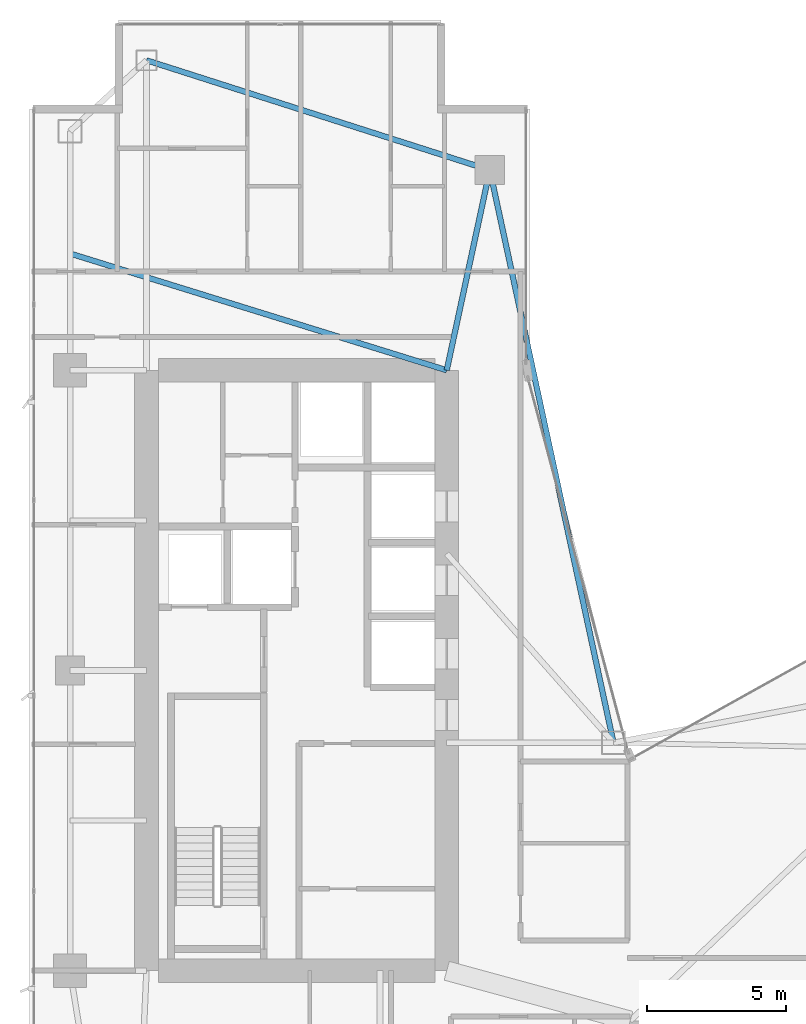
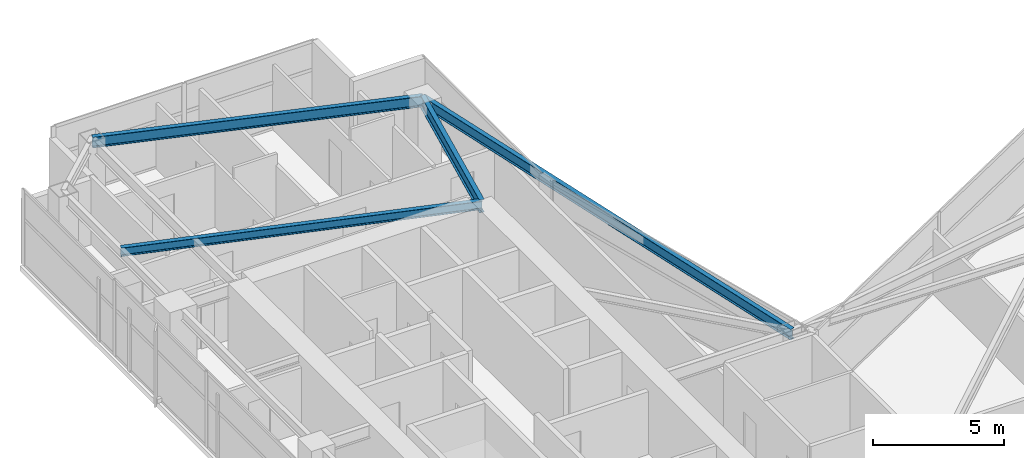
# One storey, part 17 of 29: 4 beams.
"""IFC4 building model written with IfcOpenShell, lengths in metres."""

from ifc_helpers import new_model, si_unit, direction, frame, origin, origin_2d, place, context, subcontext, project, spatial, i_section, extrude, material, material_profile, profile_set, type_object, element, save


model = new_model("IFC4")

# Units and contexts
model_context = context("Model", 3, precision=1e-05, world=origin(), true_north=direction((0.0, 1.0)))
body_context = subcontext(model_context, "Body", "Model", "MODEL_VIEW")
ifc_project = project(units=[si_unit("LENGTHUNIT", "METRE"), si_unit("AREAUNIT", "SQUARE_METRE"), si_unit("VOLUMEUNIT", "CUBIC_METRE"), si_unit("PLANEANGLEUNIT", "RADIAN"), si_unit("MASSUNIT", "GRAM", prefix="KILO")], contexts=[model_context])

# Site, building, storey
site_placement = place(None, origin())
site = spatial("IfcSite", under=ifc_project, at=site_placement, CompositionType="ELEMENT")
building_placement = place(site_placement, origin())
building = spatial("IfcBuilding", under=site, at=building_placement, Name="Calvorn Quay Hotel", CompositionType="ELEMENT")
storey_placement = place(building_placement, frame((0.0, 0.0, 163.699951171875)))
storey = spatial("IfcBuildingStorey", under=building, at=storey_placement, Name="L40", CompositionType="ELEMENT", Elevation=163.699951171875)

# Beams
ifc_material_1 = material(Name="Steel Q355B", Category="steel")
ifc_material_profile_1 = material_profile(ifc_material_1, i_section(OverallWidth=0.199951171875, OverallDepth=0.60009765625, WebThickness=0.010986328125, FlangeThickness=0.01708984375, FilletRadius=0.01806640625, at=origin_2d()), Name="HN600x200x11x17")
ifc_profile_set_1 = profile_set([ifc_material_profile_1], Name="Steel Q355B")
beam_type_1 = type_object("IfcBeamType", Name="BM-GIRD-TYP", PredefinedType="BEAM", material=ifc_profile_set_1)
beam_1_placement = place(storey_placement, frame((16.550048828125, 45.60009765625, 3.239990234375), z_axis=(-0.210457140491, -0.97760308511, 0.0), x_axis=(0.97760308511, -0.210457140491, 0.0)))
element("IfcBeam", 1, at=beam_1_placement, inside=storey, type_object=beam_type_1, Name="Beam BG-L40-W6", PredefinedType="BEAM", context=body_context, shape_type="SweptSolid", body=[
    extrude(i_section(OverallWidth=0.199951171875, OverallDepth=0.60009765625, WebThickness=0.010986328125, FlangeThickness=0.01708984375, FilletRadius=0.01806640625, at=origin_2d()), origin(), (0.0, 0.0, 1.0), 7.365234375),
])
ifc_material_2 = material(Name="Steel Q355B", Category="steel")
ifc_material_profile_2 = material_profile(ifc_material_2, i_section(OverallWidth=0.199951171875, OverallDepth=0.39990234375, WebThickness=0.008056640625, FlangeThickness=0.012939453125, FilletRadius=0.01611328125, at=origin_2d()), Name="HN400x200x8x13")
ifc_profile_set_2 = profile_set([ifc_material_profile_2], Name="Steel Q355B")
beam_type_2 = type_object("IfcBeamType", Name="BM-JOIST-TYP", PredefinedType="JOIST", material=ifc_profile_set_2)
beam_2_placement = place(storey_placement, frame((1.449951171875, 42.60009765625, 3.340087890625), z_axis=(0.955163702122, -0.296078202759, 0.0), x_axis=(0.296078202759, 0.955163702122, 0.0)))
element("IfcBeam", 2, at=beam_2_placement, inside=storey, type_object=beam_type_2, Name="Beam BJ-L40-W2", PredefinedType="JOIST", context=body_context, shape_type="SweptSolid", body=[
    extrude(i_section(OverallWidth=0.199951171875, OverallDepth=0.39990234375, WebThickness=0.008056640625, FlangeThickness=0.012939453125, FilletRadius=0.01611328125, at=origin_2d()), origin(), (0.0, 0.0, 1.0), 14.18603515625),
])
ifc_material_3 = material(Name="Steel Q355B", Category="steel")
ifc_material_profile_3 = material_profile(ifc_material_3, i_section(OverallWidth=0.199951171875, OverallDepth=0.5, WebThickness=0.010009765625, FlangeThickness=0.01611328125, FilletRadius=0.01611328125, at=origin_2d()), Name="HN500x200x10x16")
ifc_profile_set_3 = profile_set([ifc_material_profile_3], Name="Steel Q355B")
beam_type_3 = type_object("IfcBeamType", Name="BM-SPANDREL-Z1", PredefinedType="SPANDREL", material=ifc_profile_set_3)
beam_3_placement = place(storey_placement, frame((4.199951171875, 49.550048828125, 3.2900390625), z_axis=(0.952470702374, -0.304630203885, 0.0), x_axis=(0.304630203885, 0.952470702374, 0.0)))
element("IfcBeam", 3, at=beam_3_placement, inside=storey, type_object=beam_type_3, Name="Beam BSP-L40-W6", PredefinedType="SPANDREL", context=body_context, shape_type="SweptSolid", body=[
    extrude(i_section(OverallWidth=0.199951171875, OverallDepth=0.5, WebThickness=0.010009765625, FlangeThickness=0.01611328125, FilletRadius=0.01611328125, at=origin_2d()), origin(), (0.0, 0.0, 1.0), 12.96630859375),
])
beam_4_placement = place(storey_placement, frame((16.550048828125, 45.60009765625, 3.2900390625), z_axis=(0.211145848376, -0.977454567084, 0.0), x_axis=(0.977454567084, 0.211145848376, 0.0)))
element("IfcBeam", 4, at=beam_4_placement, inside=storey, type_object=beam_type_3, Name="Beam BSP-L40-W7", PredefinedType="SPANDREL", context=body_context, shape_type="SweptSolid", body=[
    extrude(i_section(OverallWidth=0.199951171875, OverallDepth=0.5, WebThickness=0.010009765625, FlangeThickness=0.01611328125, FilletRadius=0.01611328125, at=origin_2d()), origin(), (0.0, 0.0, 1.0), 21.0751953125),
])

save(model, "model.ifc")
